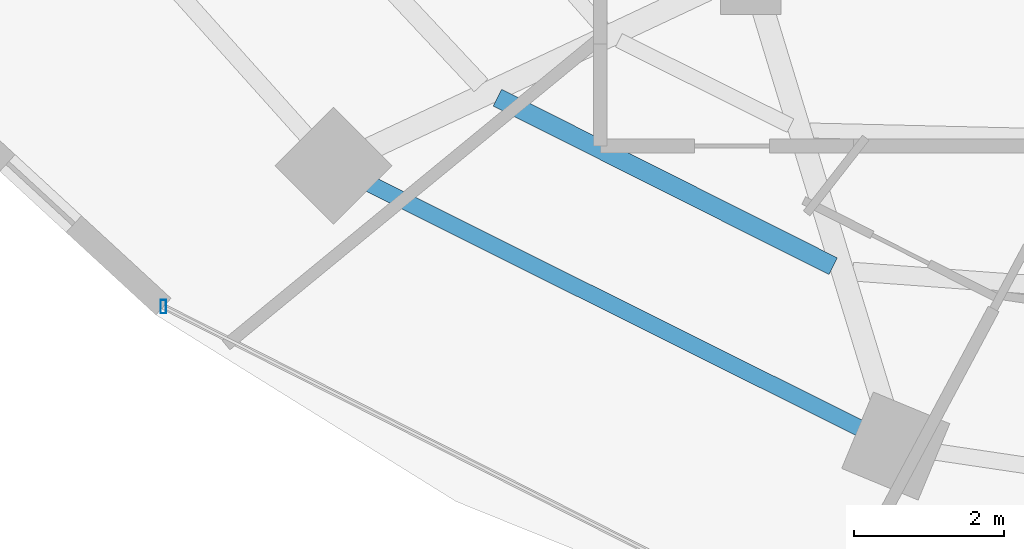
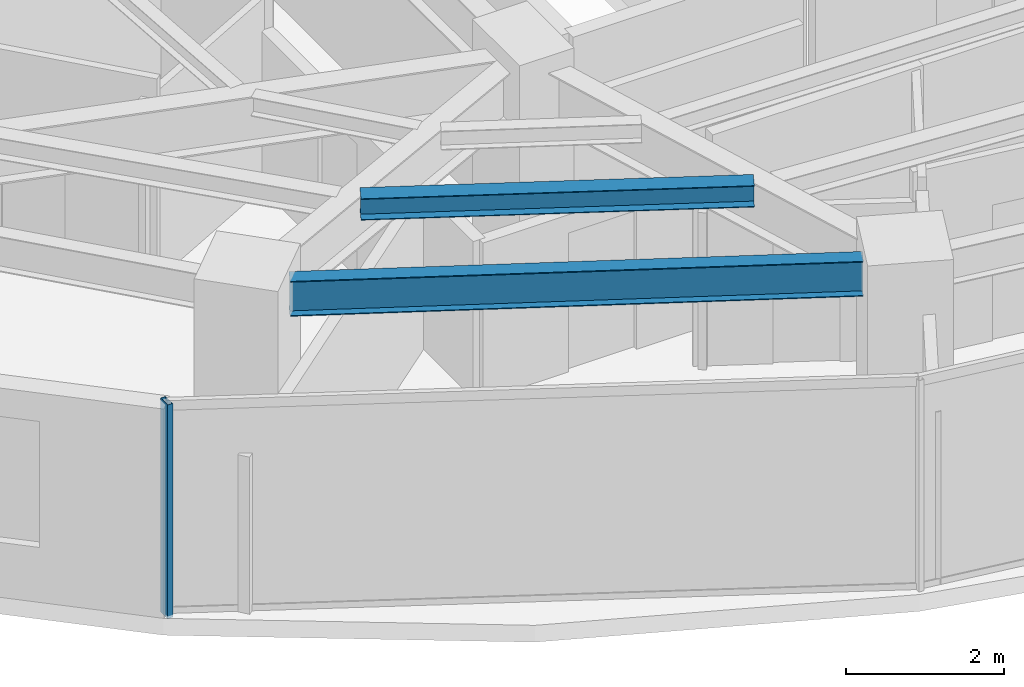
# One storey, part 2 of 29: 2 beams, 1 member, 1 element without a shape of its own.
"""IFC4 building model written with IfcOpenShell, lengths in metres."""

import ifcopenshell
import ifcopenshell.guid

model = None  # the IFC model being written
_history = None  # IfcOwnerHistory: only IFC2X3 demands one
_inside = {}  # id of a spatial element -> (the spatial element, [elements in it])
_under = {}  # id of a project, library or spatial element -> (it, [spatial elements below it])
_declared = {}  # id of a project -> (the project, [libraries it declares])
_typed = {}  # id of a type object -> (the type object, [elements of that type])
_made_of = {}  # id of a material, layer set ... -> (it, [elements and type objects made of it])


def new_model(schema):
    """Start an empty IFC model of exactly this schema.

    Asked for "IFC4X3", IfcOpenShell would pick the latest addendum, in which some entities
    have other attributes; the version numbers below select the first issue.
    IFC2X3 requires an IfcOwnerHistory on every rooted entity: one is made here for all.
    """
    global model, _history
    if schema == "IFC4X3":
        model = ifcopenshell.file(schema_version=(4, 3, 0, 0))
    else:
        model = ifcopenshell.file(schema=schema)
    _inside.clear()
    _under.clear()
    _declared.clear()
    _typed.clear()
    _made_of.clear()
    _history = None
    if model.schema == "IFC2X3":
        org = make("IfcOrganization", Name="unknown")
        user = make(
            "IfcPersonAndOrganization",
            ThePerson=make("IfcPerson", FamilyName="unknown"),
            TheOrganization=org,
        )
        app = make(
            "IfcApplication",
            ApplicationDeveloper=org,
            Version="unknown",
            ApplicationFullName="unknown",
            ApplicationIdentifier="unknown",
        )
        _history = make(
            "IfcOwnerHistory",
            OwningUser=user,
            OwningApplication=app,
            ChangeAction="ADDED",
            CreationDate=0,
        )
    return model


def make(cls, **values):
    """One entity of the class cls with the attributes given. An attribute that is None is left unset."""
    return model.create_entity(
        cls, **{name: value for name, value in values.items() if value is not None}
    )


def rooted(cls, **values):
    """An entity with a GlobalId (a new one), such as an element, a storey or a relation."""
    return make(cls, GlobalId=ifcopenshell.guid.new(), OwnerHistory=_history, **values)


def si_unit(unit_type, name, prefix=None):
    """IfcSIUnit, for example si_unit("LENGTHUNIT", "METRE", prefix="MILLI")."""
    return make("IfcSIUnit", UnitType=unit_type, Prefix=prefix, Name=name)


def assignment(units):
    """IfcUnitAssignment: the units of a project."""
    return None if units is None else make("IfcUnitAssignment", Units=units)


def point(xyz):
    """IfcCartesianPoint."""
    return None if xyz is None else make("IfcCartesianPoint", Coordinates=xyz)


def direction(xyz):
    """IfcDirection."""
    return None if xyz is None else make("IfcDirection", DirectionRatios=xyz)


def frame(location, z_axis=None, x_axis=None):
    """IfcAxis2Placement3D, a coordinate frame: its origin and axes. An axis left out is left unset."""
    return make(
        "IfcAxis2Placement3D",
        Location=point(location),
        Axis=direction(z_axis),
        RefDirection=direction(x_axis),
    )


def frame_2d(location, x_axis=None):
    """IfcAxis2Placement2D, a coordinate frame in the plane: its origin and x axis."""
    return make(
        "IfcAxis2Placement2D", Location=point(location), RefDirection=direction(x_axis)
    )


def origin():
    """The frame at (0, 0, 0) with its axes left unset."""
    return frame((0.0, 0.0, 0.0))


def origin_2d():
    """The frame at (0, 0) in the plane with its x axis left unset."""
    return frame_2d((0.0, 0.0))


def place(relative_to, where):
    """IfcLocalPlacement: puts the frame where relative to a parent placement (None: the world)."""
    return make(
        "IfcLocalPlacement", PlacementRelTo=relative_to, RelativePlacement=where
    )


def context(
    kind, dimensions, precision=None, world=None, true_north=None, identifier=None
):
    """IfcGeometricRepresentationContext, for example the 3D "Model" context."""
    return make(
        "IfcGeometricRepresentationContext",
        ContextIdentifier=identifier,
        ContextType=kind,
        CoordinateSpaceDimension=dimensions,
        Precision=precision,
        WorldCoordinateSystem=world,
        TrueNorth=true_north,
    )


def subcontext(parent, identifier, kind, view, scale=None):
    """IfcGeometricRepresentationSubContext, for example "Body" below "Model"."""
    return make(
        "IfcGeometricRepresentationSubContext",
        ContextIdentifier=identifier,
        ContextType=kind,
        ParentContext=parent,
        TargetScale=scale,
        TargetView=view,
    )


def project(units=None, contexts=None):
    """IfcProject with its units and contexts."""
    return rooted(
        "IfcProject",
        Name="project",
        RepresentationContexts=contexts,
        UnitsInContext=assignment(units),
    )


def spatial(cls, under=None, at=None, **own):
    """A site, building, storey or space (cls), placed at a placement, below another one or the project."""
    s = rooted(cls, ObjectPlacement=at, **own)
    if under is not None:
        _under.setdefault(under.id(), (under, []))[1].append(s)
    return s


def profile(cls, at=None, kind="AREA", **sizes):
    """A parametric profile (cls). Its sizes go by their IFC names, for example OverallWidth=200.0."""
    return make(cls, ProfileType=kind, Position=at, **sizes)


def hollow_rectangle(**sizes):
    """IfcRectangleHollowProfileDef."""
    return profile("IfcRectangleHollowProfileDef", **sizes)


def i_section(**sizes):
    """IfcIShapeProfileDef."""
    return profile("IfcIShapeProfileDef", **sizes)


def extrude(swept, where, along, depth):
    """IfcExtrudedAreaSolid: the profile swept, set in the frame where, extruded along a direction by depth."""
    return make(
        "IfcExtrudedAreaSolid",
        SweptArea=swept,
        Position=where,
        ExtrudedDirection=direction(along),
        Depth=depth,
    )


def shape(context_of_items, identifier, shape_type, items):
    """IfcShapeRepresentation: the items that make up one representation, for example the "Body"."""
    return make(
        "IfcShapeRepresentation",
        ContextOfItems=context_of_items,
        RepresentationIdentifier=identifier,
        RepresentationType=shape_type,
        Items=items,
    )


def material(Name=None, Category=None):
    """IfcMaterial."""
    return make("IfcMaterial", Name=Name, Category=Category)


def material_profile(
    of_material, cross_section, Name=None, Category=None, Priority=None
):
    """IfcMaterialProfile: a cross section and its material."""
    return make(
        "IfcMaterialProfile",
        Name=Name,
        Material=of_material,
        Profile=cross_section,
        Priority=Priority,
        Category=Category,
    )


def profile_set(profiles, Name=None, composite=None):
    """IfcMaterialProfileSet."""
    return make(
        "IfcMaterialProfileSet",
        Name=Name,
        MaterialProfiles=profiles,
        CompositeProfile=composite,
    )


def made_of(thing, what):
    """Note that an element or type object is made of a material, layer set ...; save() writes the relation."""
    if what is not None:
        _made_of.setdefault(what.id(), (what, []))[1].append(thing)
    return thing


def type_object(cls, material=None, **own):
    """A type object (cls), such as IfcWallType, which elements share."""
    return made_of(rooted(cls, **own), material)


def element(
    cls,
    number,
    at=None,
    inside=None,
    cuts=None,
    type_object=None,
    material=None,
    context=None,
    identifier="Body",
    shape_type=None,
    held_by="IfcProductDefinitionShape",
    body=None,
    shapes=None,
    **own,
):
    """One element of the class cls, such as IfcWall. Its Tag is "e" and its number.

    at: its placement. inside: the storey or other place that contains it. cuts: it is an
    opening in that element (IfcRelVoidsElement). A single representation is given by context,
    identifier, shape_type and body (its items); several are given by shapes. held_by: the class
    of the entity that holds the representations. save() writes the other relations.
    """
    e = rooted(cls, Tag="e%d" % number, ObjectPlacement=at, **own)
    if body is not None:
        shapes = [shape(context, identifier, shape_type, body)]
    if shapes is not None:
        e.Representation = make(held_by, Representations=shapes)
    if inside is not None:
        _inside.setdefault(inside.id(), (inside, []))[1].append(e)
    if cuts is not None:
        rooted(
            "IfcRelVoidsElement", RelatingBuildingElement=cuts, RelatedOpeningElement=e
        )
    if type_object is not None:
        _typed.setdefault(type_object.id(), (type_object, []))[1].append(e)
    return made_of(e, material)


def aggregate(whole, parts):
    """IfcRelAggregates: a whole, such as a stair, and the parts it consists of."""
    return rooted("IfcRelAggregates", RelatingObject=whole, RelatedObjects=parts)


def save(model, path):
    """Write the relations noted so far, then the file.

    IfcRelAggregates (storeys below a building ...), IfcRelContainedInSpatialStructure (elements
    in a storey), IfcRelDefinesByType, IfcRelAssociatesMaterial and IfcRelDeclares: one each for
    every whole, place, type object, material and project.
    """
    for whole, parts in _under.values():
        aggregate(whole, parts)
    for where, things in _inside.values():
        rooted(
            "IfcRelContainedInSpatialStructure",
            RelatedElements=things,
            RelatingStructure=where,
        )
    for kind, things in _typed.values():
        rooted("IfcRelDefinesByType", RelatedObjects=things, RelatingType=kind)
    for what, things in _made_of.values():
        rooted("IfcRelAssociatesMaterial", RelatedObjects=things, RelatingMaterial=what)
    for by, libraries in _declared.values():
        rooted("IfcRelDeclares", RelatingContext=by, RelatedDefinitions=libraries)
    model.write(path)


model = new_model("IFC4")

# Units and contexts
model_context = context("Model", 3, precision=1e-05, world=origin(), true_north=direction((0.0, 1.0)))
body_context = subcontext(model_context, "Body", "Model", "MODEL_VIEW")
ifc_project = project(units=[si_unit("LENGTHUNIT", "METRE"), si_unit("AREAUNIT", "SQUARE_METRE"), si_unit("VOLUMEUNIT", "CUBIC_METRE"), si_unit("PLANEANGLEUNIT", "RADIAN"), si_unit("MASSUNIT", "GRAM", prefix="KILO")], contexts=[model_context])

# Site, building, storey
site_placement = place(None, origin())
site = spatial("IfcSite", under=ifc_project, at=site_placement, CompositionType="ELEMENT")
building_placement = place(site_placement, origin())
building = spatial("IfcBuilding", under=site, at=building_placement, Name="Vorneva Point Tower", CompositionType="ELEMENT")
storey_placement = place(building_placement, frame((0.0, 0.0, 110.300048828125)))
storey = spatial("IfcBuildingStorey", under=building, at=storey_placement, Name="L29", CompositionType="ELEMENT", Elevation=110.300048828125)

# Beams
ifc_material_1 = material(Name="Steel S355", Category="steel")
ifc_material_profile_1 = material_profile(ifc_material_1, i_section(OverallWidth=0.2490234375, OverallDepth=0.333984375, WebThickness=0.008056640625, FlangeThickness=0.010986328125, at=origin_2d()), Name="35Sh1")
ifc_profile_set_1 = profile_set([ifc_material_profile_1], Name="Steel S355")
beam_type_1 = type_object("IfcBeamType", Name="BM-SEC-35Sh1", PredefinedType="BEAM", material=ifc_profile_set_1)
beam_1_placement = place(storey_placement, frame((23.88037109375, 14.74365234375, 3.072998046875), z_axis=(0.893693254795, -0.448678466537, 0.0), x_axis=(0.448678466537, 0.893693254795, 0.0)))
element("IfcBeam", 1, at=beam_1_placement, inside=storey, type_object=beam_type_1, Name="L29 Secondary Floor Beam 1.11", PredefinedType="BEAM", context=body_context, shape_type="SweptSolid", body=[
    extrude(i_section(OverallWidth=0.2490234375, OverallDepth=0.333984375, WebThickness=0.008056640625, FlangeThickness=0.010986328125, at=origin_2d()), origin(), (0.0, 0.0, 1.0), 4.997802734375),
])
ifc_material_profile_2 = material_profile(ifc_material_1, i_section(OverallWidth=0.219970703125, OverallDepth=0.54296875, WebThickness=0.009521484375, FlangeThickness=0.013427734375, at=origin_2d()), Name="55B1")
ifc_profile_set_2 = profile_set([ifc_material_profile_2], Name="Steel S355")
beam_type_2 = type_object("IfcBeamType", Name="BM-SPN-55B1", PredefinedType="SPANDREL", material=ifc_profile_set_2)
beam_2_placement = place(storey_placement, frame((22.179931640625, 13.59912109375, 2.968505859375), z_axis=(0.894915882304, -0.446234874926, 0.0), x_axis=(0.446234874926, 0.894915882304, 0.0)))
element("IfcBeam", 2, at=beam_2_placement, inside=storey, type_object=beam_type_2, Name="L29 Perimeter Spandrel Ring Beam 11", PredefinedType="SPANDREL", context=body_context, shape_type="SweptSolid", body=[
    extrude(i_section(OverallWidth=0.219970703125, OverallDepth=0.54296875, WebThickness=0.009521484375, FlangeThickness=0.013427734375, at=origin_2d()), origin(), (0.0, 0.0, 1.0), 7.285888671875),
])

# Curtain wall, member
ifc_material_2 = material(Name="Pale anodised aluminium", Category="aluminium")
curtain_wall_type = type_object("IfcCurtainWallType", Name="CW-HTL-SYS", PredefinedType="NOTDEFINED", material=ifc_material_2)
curtain_wall_placement = place(storey_placement, origin())
curtain_wall = element("IfcCurtainWall", 3, at=curtain_wall_placement, inside=storey, type_object=curtain_wall_type, Name="L29 Unitised Curtain Wall CW-L29-R04", PredefinedType="NOTDEFINED")
ifc_material_profile_3 = material_profile(ifc_material_2, hollow_rectangle(XDim=0.074951171875, YDim=0.179931640625, WallThickness=0.00390625, at=origin_2d()), Name="AL-MUL 180x75x4")
ifc_profile_set_3 = profile_set([ifc_material_profile_3], Name="Pale anodised aluminium")
member_type = type_object("IfcMemberType", Name="CW-MUL-180", PredefinedType="MULLION", material=ifc_profile_set_3)
member_placement = place(storey_placement, frame((19.4384765625, 11.9638671875, -0.0400390625), z_axis=(0.0, 0.0, 1.0), x_axis=(1.0, 0.0, 0.0)))
member = element("IfcMember", 4, at=member_placement, type_object=member_type, Name="CW-L29-R04 Mullion 01", PredefinedType="MULLION", context=body_context, shape_type="SweptSolid", body=[
    extrude(hollow_rectangle(XDim=0.074951171875, YDim=0.179931640625, WallThickness=0.00390625, at=origin_2d()), origin(), (0.0, 0.0, 1.0), 3.31005859375),
])
aggregate(curtain_wall, [member])

save(model, "model.ifc")
